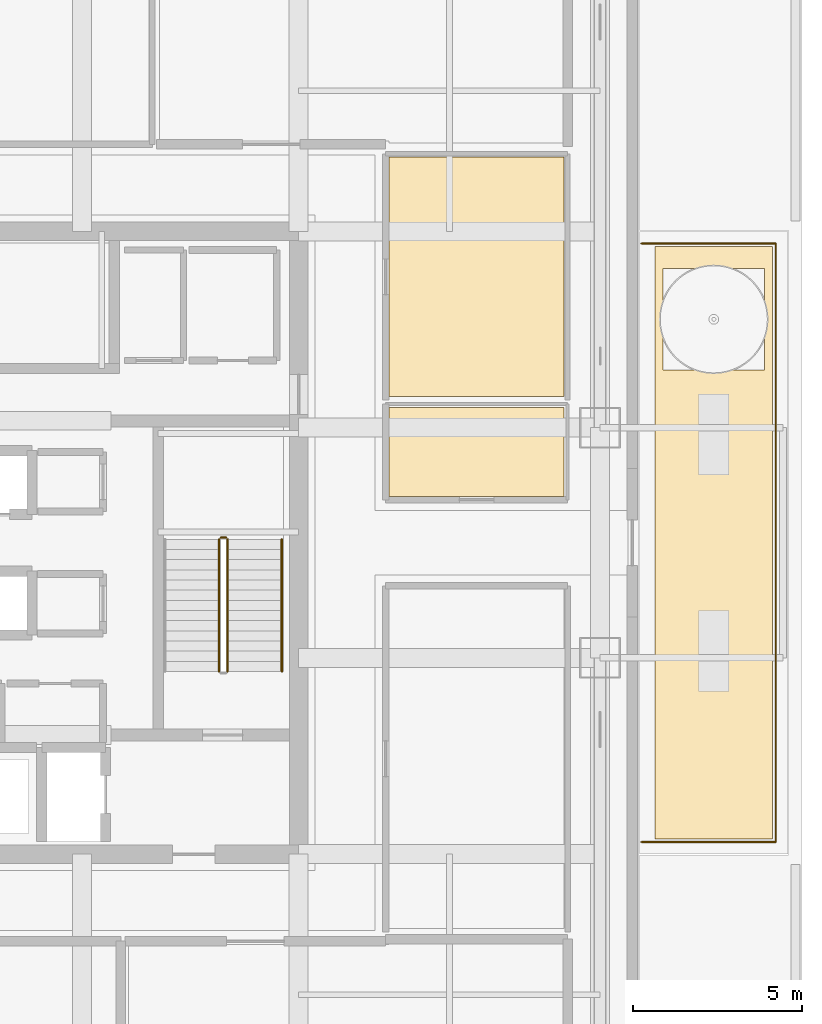
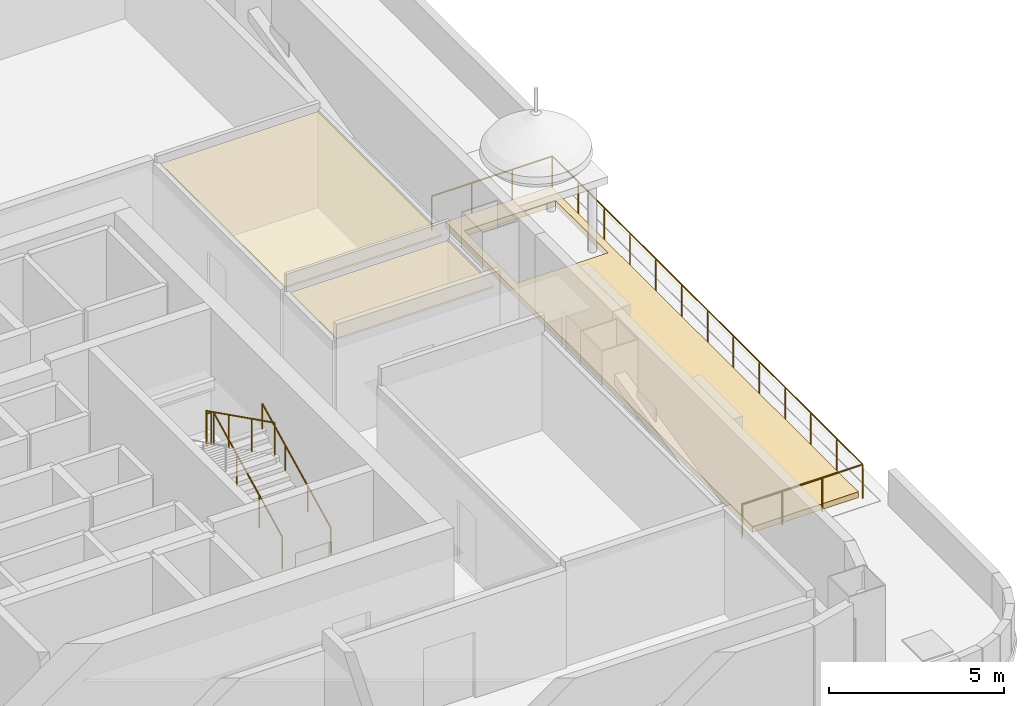
# One storey, part 28 of 31: 5 railings, 3 coverings.
"""IFC4 building model written with IfcOpenShell, lengths in metres."""

from ifc_helpers import new_model, si_unit, direction, frame, origin, origin_2d, place, context, subcontext, project, spatial, polyline, circle, outline, extrude, material, layer, layer_set, type_object, element, save


model = new_model("IFC4")

# Units and contexts
model_context = context("Model", 3, precision=1e-05, world=origin(), true_north=direction((0.0, 1.0)))
body_context = subcontext(model_context, "Body", "Model", "MODEL_VIEW")
ifc_project = project(units=[si_unit("LENGTHUNIT", "METRE"), si_unit("AREAUNIT", "SQUARE_METRE"), si_unit("VOLUMEUNIT", "CUBIC_METRE"), si_unit("PLANEANGLEUNIT", "RADIAN"), si_unit("MASSUNIT", "GRAM", prefix="KILO")], contexts=[model_context])

# Site, building, storey
site_placement = place(None, origin())
site = spatial("IfcSite", under=ifc_project, at=site_placement, CompositionType="ELEMENT")
building_placement = place(site_placement, origin())
building = spatial("IfcBuilding", under=site, at=building_placement, Name="Punatoya Terracotta Tower", CompositionType="ELEMENT")
storey_placement = place(building_placement, frame((0.0, 0.0, 283.800048828125)))
storey = spatial("IfcBuildingStorey", under=building, at=storey_placement, Name="L67", CompositionType="ELEMENT", Elevation=283.800048828125)

# Coverings
ifc_material_1 = material(Name="Acoustic Mineral Fibre Ceiling")
ifc_layer_1 = layer(ifc_material_1, 0.06005859375)
ifc_layer_set_1 = layer_set([ifc_layer_1], Name="Acoustic Mineral Fibre Ceiling")
covering_type_1 = type_object("IfcCoveringType", Name="COV-CEIL-60", PredefinedType="CEILING", material=ifc_layer_set_1)
covering_1_placement = place(storey_placement, frame((0.0, 0.0, 3.31005859375)))
element("IfcCovering", 1, at=covering_1_placement, inside=storey, type_object=covering_type_1, Name="L67 Private Dining Boardroom Acoustic Ceiling", PredefinedType="CEILING", context=body_context, shape_type="SweptSolid", body=[
    extrude(outline(polyline([(18.0400390625, 1.3701171875), (18.0400390625, 3.998046875), (12.8701171875, 3.998046875), (12.8701171875, 1.3701171875), (18.0400390625, 1.3701171875)])), origin(), (0.0, 0.0, 1.0), 0.059814453125),
])
covering_2_placement = place(storey_placement, frame((0.0, 0.0, 3.31005859375)))
element("IfcCovering", 2, at=covering_2_placement, inside=storey, type_object=covering_type_1, Name="L67 Wellness Relaxation Lounge Acoustic Ceiling", PredefinedType="CEILING", context=body_context, shape_type="SweptSolid", body=[
    extrude(outline(polyline([(18.0400390625, 4.318115234375), (18.0400390625, 11.389892578125), (12.8701171875, 11.389892578125), (12.8701171875, 4.318115234375), (18.0400390625, 4.318115234375)])), origin(), (0.0, 0.0, 1.0), 0.059814453125),
])
ifc_material_2 = material(Name="Green Roof Planting Soil Medium")
ifc_layer_2 = layer(ifc_material_2, 0.35009765625)
ifc_layer_set_2 = layer_set([ifc_layer_2], Name="Green Roof Planting Soil Medium")
covering_type_2 = type_object("IfcCoveringType", Name="COV-TER-350", PredefinedType="ROOFING", material=ifc_layer_set_2)
covering_3_placement = place(storey_placement, origin())
element("IfcCovering", 3, at=covering_3_placement, inside=storey, type_object=covering_type_2, Name="L67 L67 Spiralling Sky Terrace Planted Soil Bed", PredefinedType="ROOFING", context=body_context, shape_type="SweptSolid", body=[
    extrude(outline(polyline([(24.199951171875, -8.75), (20.719970703125, -8.75), (20.719970703125, 8.75), (24.199951171875, 8.75), (24.199951171875, -8.75)]), holes=[polyline([(23.9599609375, 8.10009765625), (20.9599609375, 8.10009765625), (20.9599609375, 5.10009765625), (23.9599609375, 5.10009765625), (23.9599609375, 8.10009765625)])]), origin(), (0.0, 0.0, 1.0), 0.199951171875),
])

# Railings
ifc_material_3 = material(Name="Steel S355", Category="steel")
railing_type_1 = type_object("IfcRailingType", Name="RLG-BAL-1200", PredefinedType="BALUSTRADE", material=ifc_material_3)
railing_1_placement = place(storey_placement, frame((20.320068359375, -8.840087890625, 0.0)))
element("IfcRailing", 4, at=railing_1_placement, inside=storey, type_object=railing_type_1, Name="L67 L67 Spiralling Sky Terrace Guardrail", PredefinedType="BALUSTRADE", context=body_context, shape_type="SweptSolid", body=[
    extrude(circle(Radius=0.02392578125, at=origin_2d()), frame((0.0, 0.0, 1.17578125), z_axis=(1.0, 0.0, 0.0), x_axis=(0.0, 1.0, 0.0)), (0.0, 0.0, 1.0), 3.969970703125),
    extrude(circle(Radius=0.02392578125, at=origin_2d()), frame((3.969970703125, 0.0, 1.17578125), z_axis=(0.0, 1.0, 0.0), x_axis=(-1.0, 0.0, 0.0)), (0.0, 0.0, 1.0), 17.68017578125),
    extrude(circle(Radius=0.02392578125, at=origin_2d()), frame((3.969970703125, 17.68017578125, 1.17578125), z_axis=(-1.0, 0.0, 0.0), x_axis=(0.0, -1.0, 0.0)), (0.0, 0.0, 1.0), 3.969970703125),
    extrude(circle(Radius=0.02099609375, at=origin_2d()), origin(), (0.0, 0.0, 1.0), 1.15185546875),
    extrude(circle(Radius=0.02099609375, at=origin_2d()), frame((1.3232421875, 0.0, 0.0)), (0.0, 0.0, 1.0), 1.15185546875),
    extrude(circle(Radius=0.02099609375, at=origin_2d()), frame((2.646728515625, 0.0, 0.0)), (0.0, 0.0, 1.0), 1.15185546875),
    extrude(circle(Radius=0.02099609375, at=origin_2d()), frame((3.969970703125, 0.0, 0.0)), (0.0, 0.0, 1.0), 1.15185546875),
    extrude(circle(Radius=0.02099609375, at=origin_2d()), frame((3.969970703125, 1.473388671875, 0.0)), (0.0, 0.0, 1.0), 1.15185546875),
    extrude(circle(Radius=0.02099609375, at=origin_2d()), frame((3.969970703125, 2.94677734375, 0.0)), (0.0, 0.0, 1.0), 1.15185546875),
    extrude(circle(Radius=0.02099609375, at=origin_2d()), frame((3.969970703125, 4.419921875, 0.0)), (0.0, 0.0, 1.0), 1.15185546875),
    extrude(circle(Radius=0.02099609375, at=origin_2d()), frame((3.969970703125, 5.893310546875, 0.0)), (0.0, 0.0, 1.0), 1.15185546875),
    extrude(circle(Radius=0.02099609375, at=origin_2d()), frame((3.969970703125, 7.36669921875, 0.0)), (0.0, 0.0, 1.0), 1.15185546875),
    extrude(circle(Radius=0.02099609375, at=origin_2d()), frame((3.969970703125, 8.840087890625, 0.0)), (0.0, 0.0, 1.0), 1.15185546875),
    extrude(circle(Radius=0.02099609375, at=origin_2d()), frame((3.969970703125, 10.3134765625, 0.0)), (0.0, 0.0, 1.0), 1.15185546875),
    extrude(circle(Radius=0.02099609375, at=origin_2d()), frame((3.969970703125, 11.786865234375, 0.0)), (0.0, 0.0, 1.0), 1.15185546875),
    extrude(circle(Radius=0.02099609375, at=origin_2d()), frame((3.969970703125, 13.26025390625, 0.0)), (0.0, 0.0, 1.0), 1.15185546875),
    extrude(circle(Radius=0.02099609375, at=origin_2d()), frame((3.969970703125, 14.7333984375, 0.0)), (0.0, 0.0, 1.0), 1.15185546875),
    extrude(circle(Radius=0.02099609375, at=origin_2d()), frame((3.969970703125, 16.206787109375, 0.0)), (0.0, 0.0, 1.0), 1.15185546875),
    extrude(circle(Radius=0.02099609375, at=origin_2d()), frame((3.969970703125, 17.68017578125, 0.0)), (0.0, 0.0, 1.0), 1.15185546875),
    extrude(circle(Radius=0.02099609375, at=origin_2d()), frame((2.646728515625, 17.68017578125, 0.0)), (0.0, 0.0, 1.0), 1.15185546875),
    extrude(circle(Radius=0.02099609375, at=origin_2d()), frame((1.3232421875, 17.68017578125, 0.0)), (0.0, 0.0, 1.0), 1.15185546875),
    extrude(circle(Radius=0.02099609375, at=origin_2d()), frame((0.0, 17.68017578125, 0.0)), (0.0, 0.0, 1.0), 1.15185546875),
])
railing_type_2 = type_object("IfcRailingType", Name="RLG-GRD-1150", PredefinedType="GUARDRAIL", material=ifc_material_3)
railing_2_placement = place(storey_placement, frame((8.10009765625, -3.800048828125, 0.14990234375)))
element("IfcRailing", 5, at=railing_2_placement, inside=storey, type_object=railing_type_2, Name="L67 ST-2 stair guard 1", PredefinedType="GUARDRAIL", context=body_context, shape_type="SweptSolid", body=[
    extrude(circle(Radius=0.02392578125, at=origin_2d()), frame((0.0, 0.0, 1.1259765625), z_axis=(0.0, 0.894438388696, 0.447191199406), x_axis=(-1.0, 0.0, 0.0)), (0.0, 0.0, 1.0), 4.3603515625),
    extrude(circle(Radius=0.02099609375, at=origin_2d()), origin(), (0.0, 0.0, 1.0), 1.101806640625),
    extrude(circle(Radius=0.02099609375, at=origin_2d()), frame((0.0, 1.300048828125, 0.64990234375)), (0.0, 0.0, 1.0), 1.101806640625),
    extrude(circle(Radius=0.02099609375, at=origin_2d()), frame((0.0, 2.60009765625, 1.300048828125)), (0.0, 0.0, 1.0), 1.101806640625),
    extrude(circle(Radius=0.02099609375, at=origin_2d()), frame((0.0, 3.900146484375, 1.949951171875)), (0.0, 0.0, 1.0), 1.101806640625),
])
railing_3_placement = place(storey_placement, frame((8.050048828125, 0.14990234375, 2.099853515625)))
element("IfcRailing", 6, at=railing_3_placement, inside=storey, type_object=railing_type_2, Name="L67 ST-2 stair guard 2", PredefinedType="GUARDRAIL", context=body_context, shape_type="SweptSolid", body=[
    extrude(circle(Radius=0.02392578125, at=origin_2d()), frame((0.0, 0.0, 1.1259765625), z_axis=(-1.0, 0.0, 0.0), x_axis=(0.0, -1.0, 0.0)), (0.0, 0.0, 1.0), 0.150146484375),
    extrude(circle(Radius=0.02099609375, at=origin_2d()), origin(), (0.0, 0.0, 1.0), 1.101806640625),
    extrude(circle(Radius=0.02099609375, at=origin_2d()), frame((-0.150146484375, 0.0, 0.0)), (0.0, 0.0, 1.0), 1.101806640625),
])
railing_4_placement = place(storey_placement, frame((7.85009765625, 0.10009765625, 2.25)))
element("IfcRailing", 7, at=railing_4_placement, inside=storey, type_object=railing_type_2, Name="L67 ST-2 stair guard 3", PredefinedType="GUARDRAIL", context=body_context, shape_type="SweptSolid", body=[
    extrude(circle(Radius=0.02392578125, at=origin_2d()), frame((0.0, 0.0, 1.1259765625), z_axis=(0.0, -0.894438388696, 0.447191199406), x_axis=(1.0, 0.0, 0.0)), (0.0, 0.0, 1.0), 4.3603515625),
    extrude(circle(Radius=0.02099609375, at=origin_2d()), origin(), (0.0, 0.0, 1.0), 1.101806640625),
    extrude(circle(Radius=0.02099609375, at=origin_2d()), frame((0.0, -1.300048828125, 0.64990234375)), (0.0, 0.0, 1.0), 1.101806640625),
    extrude(circle(Radius=0.02099609375, at=origin_2d()), frame((0.0, -2.60009765625, 1.300048828125)), (0.0, 0.0, 1.0), 1.101806640625),
    extrude(circle(Radius=0.02099609375, at=origin_2d()), frame((0.0, -3.900146484375, 1.949951171875)), (0.0, 0.0, 1.0), 1.101806640625),
])
railing_type_3 = type_object("IfcRailingType", Name="RLG-HND-900", PredefinedType="HANDRAIL", material=ifc_material_3)
railing_5_placement = place(storey_placement, frame((9.699951171875, -3.800048828125, 0.14990234375)))
element("IfcRailing", 8, at=railing_5_placement, inside=storey, type_object=railing_type_3, Name="L67 ST-2 stair handrail 1", PredefinedType="HANDRAIL", context=body_context, shape_type="SweptSolid", body=[
    extrude(circle(Radius=0.02392578125, at=origin_2d()), frame((0.0, 0.0, 0.8759765625), z_axis=(0.0, 0.894438388696, 0.447191199406), x_axis=(-1.0, 0.0, 0.0)), (0.0, 0.0, 1.0), 4.3603515625),
    extrude(circle(Radius=0.02099609375, at=origin_2d()), origin(), (0.0, 0.0, 1.0), 0.851806640625),
    extrude(circle(Radius=0.02099609375, at=origin_2d()), frame((0.0, 1.300048828125, 0.64990234375)), (0.0, 0.0, 1.0), 0.851806640625),
    extrude(circle(Radius=0.02099609375, at=origin_2d()), frame((0.0, 2.60009765625, 1.300048828125)), (0.0, 0.0, 1.0), 0.851806640625),
    extrude(circle(Radius=0.02099609375, at=origin_2d()), frame((0.0, 3.900146484375, 1.949951171875)), (0.0, 0.0, 1.0), 0.851806640625),
])

save(model, "model.ifc")
